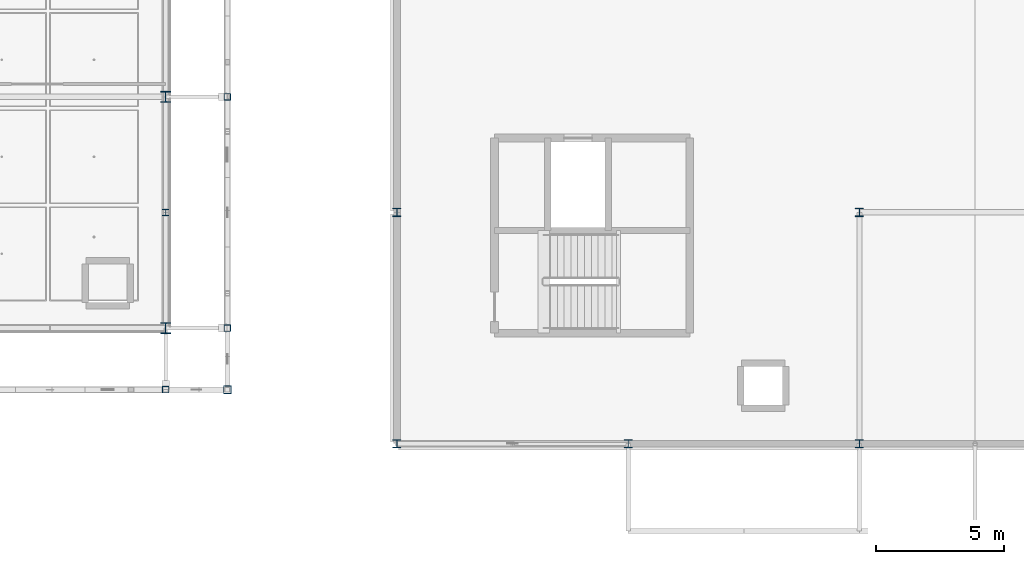
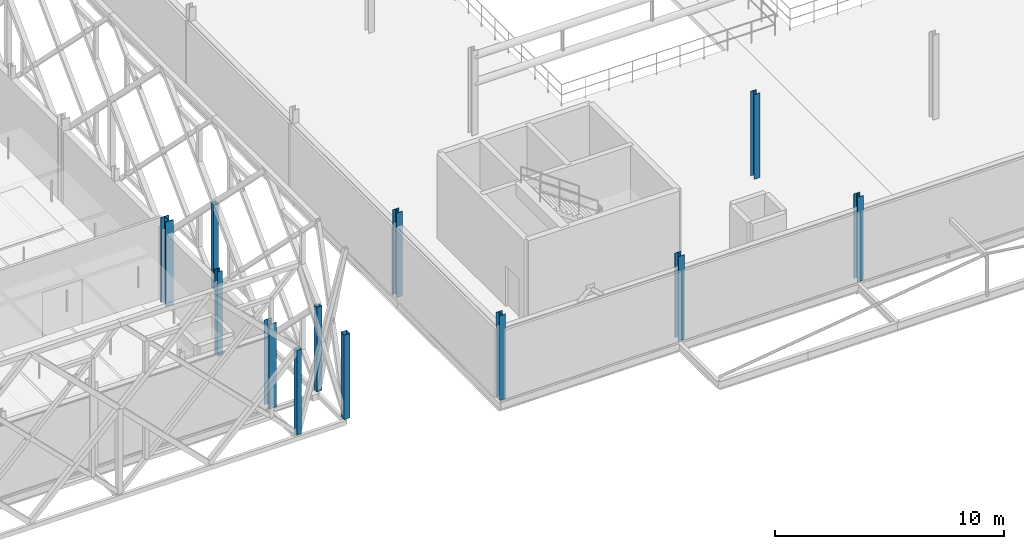
# One storey, part 7 of 140: 12 columns.
"""IFC4 building model written with IfcOpenShell, lengths in metres."""

from ifc_helpers import new_model, si_unit, direction, frame, origin, origin_2d, place, context, subcontext, project, spatial, hollow_rectangle, i_section, extrude, material, material_profile, profile_set, type_object, element, save


model = new_model("IFC4")

# Units and contexts
model_context = context("Model", 3, precision=1e-05, world=origin(), true_north=direction((0.0, 1.0)))
body_context = subcontext(model_context, "Body", "Model", "MODEL_VIEW")
ifc_project = project(units=[si_unit("LENGTHUNIT", "METRE"), si_unit("AREAUNIT", "SQUARE_METRE"), si_unit("VOLUMEUNIT", "CUBIC_METRE"), si_unit("PLANEANGLEUNIT", "RADIAN"), si_unit("MASSUNIT", "GRAM", prefix="KILO"), si_unit("THERMODYNAMICTEMPERATUREUNIT", "KELVIN"), si_unit("POWERUNIT", "WATT")], contexts=[model_context])

# Site, building, storey
site_placement = place(None, origin())
site = spatial("IfcSite", under=ifc_project, at=site_placement, CompositionType="ELEMENT")
building_placement = place(site_placement, origin())
building = spatial("IfcBuilding", under=site, at=building_placement, Name="Tallowbark Science Centre", CompositionType="ELEMENT")
storey_placement = place(building_placement, frame((0.0, 0.0, 9.89990234375)))
storey = spatial("IfcBuildingStorey", under=building, at=storey_placement, Name="L02", CompositionType="ELEMENT", Elevation=9.89990234375)

# Columns
ifc_material_1 = material(Name="White Architectural Painted Steel Grade C350L0 (350 MPa)", Category="steel")
ifc_material_profile_1 = material_profile(ifc_material_1, hollow_rectangle(XDim=0.25, YDim=0.25, WallThickness=0.009033203125, at=origin_2d()), Name="250x250x9.0SHS")
ifc_profile_set_1 = profile_set([ifc_material_profile_1], Name="White Architectural Painted Steel Grade C350L0 (350 MPa)")
column_type_1 = type_object("IfcColumnType", Name="COL-SCR200", PredefinedType="COLUMN", material=ifc_profile_set_1)
for number, where, z_axis, x_axis, name in (
    (1, (103.5, 2.10009765625, 0.0), (0.0, 0.0, 1.0), (1.0, 0.0, 0.0), "Column SCR-S06 L02"),
    (2, (105.89990234375, 4.5, 0.0), (0.0, 0.0, 1.0), (1.0, 0.0, 0.0), "Column SCR-E01 L02"),
    (3, (105.89990234375, 13.5, 0.0), (0.0, 0.0, 1.0), (1.0, 0.0, 0.0), "Column SCR-E02 L02"),
):
    element("IfcColumn", number, at=place(storey_placement, frame(where, z_axis=z_axis, x_axis=x_axis)), inside=storey, type_object=column_type_1, Name=name, PredefinedType="COLUMN", context=body_context, shape_type="SweptSolid", body=[
        extrude(hollow_rectangle(XDim=0.25, YDim=0.25, WallThickness=0.009033203125, at=origin_2d()), origin(), (0.0, 0.0, 1.0), 4.5),
    ])
ifc_material_profile_2 = material_profile(ifc_material_1, hollow_rectangle(XDim=0.300048828125, YDim=0.300048828125, WallThickness=0.010009765625, at=origin_2d()), Name="300x300x10.0SHS")
ifc_profile_set_2 = profile_set([ifc_material_profile_2], Name="White Architectural Painted Steel Grade C350L0 (350 MPa)")
column_type_2 = type_object("IfcColumnType", Name="COL-SCR300", PredefinedType="COLUMN", material=ifc_profile_set_2)
column_1_placement = place(storey_placement, frame((105.89990234375, 2.10009765625, 0.0), z_axis=(0.0, 0.0, 1.0), x_axis=(1.0, 0.0, 0.0)))
element("IfcColumn", 4, at=column_1_placement, inside=storey, type_object=column_type_2, Name="Column SCR-S07 L02", PredefinedType="COLUMN", context=body_context, shape_type="SweptSolid", body=[
    extrude(hollow_rectangle(XDim=0.300048828125, YDim=0.300048828125, WallThickness=0.010009765625, at=origin_2d()), origin(), (0.0, 0.0, 1.0), 4.5),
])
ifc_material_2 = material(Name="Structural Steel Grade 300PLUS (300 MPa)", Category="steel")
ifc_material_profile_3 = material_profile(ifc_material_2, i_section(OverallWidth=0.30908203125, OverallDepth=0.320556640625, WebThickness=0.013916015625, FlangeThickness=0.021728515625, FilletRadius=0.0166015625, at=origin_2d()), Name="310UC137")
ifc_profile_set_3 = profile_set([ifc_material_profile_3], Name="Structural Steel Grade 300PLUS (300 MPa)")
column_type_3 = type_object("IfcColumnType", Name="COL-UC310B", PredefinedType="COLUMN", material=ifc_profile_set_3)
for number, where, z_axis, x_axis, name in (
    (5, (112.5, 0.0, 0.0), (0.0, 0.0, 1.0), (1.0, 0.0, 0.0), "Column THT-M0_0 L02"),
    (6, (112.5, 9.0, 0.0), (0.0, 0.0, 1.0), (1.0, 0.0, 0.0), "Column THT-M0_1 L02"),
    (7, (121.5, 0.0, 0.0), (0.0, 0.0, 1.0), (1.0, 0.0, 0.0), "Column THT-M1_0 L02"),
    (8, (130.5, 0.0, 0.0), (0.0, 0.0, 1.0), (1.0, 0.0, 0.0), "Column THT-M2_0 L02"),
    (9, (130.5, 9.0, 0.0), (0.0, 0.0, 1.0), (1.0, 0.0, 0.0), "Column THT-M2_1 L02"),
):
    element("IfcColumn", number, at=place(storey_placement, frame(where, z_axis=z_axis, x_axis=x_axis)), inside=storey, type_object=column_type_3, Name=name, PredefinedType="COLUMN", context=body_context, shape_type="SweptSolid", body=[
        extrude(i_section(OverallWidth=0.30908203125, OverallDepth=0.320556640625, WebThickness=0.013916015625, FlangeThickness=0.021728515625, FilletRadius=0.0166015625, at=origin_2d()), origin(), (0.0, 0.0, 1.0), 4.5),
    ])
ifc_material_profile_4 = material_profile(ifc_material_2, i_section(OverallWidth=0.39990234375, OverallDepth=0.427978515625, WebThickness=0.02001953125, FlangeThickness=0.028076171875, FilletRadius=0.01611328125, at=origin_2d()), Name="400WC270")
ifc_profile_set_4 = profile_set([ifc_material_profile_4], Name="Structural Steel Grade 300PLUS (300 MPa)")
column_type_4 = type_object("IfcColumnType", Name="COL-WC400", PredefinedType="COLUMN", material=ifc_profile_set_4)
for number, where, z_axis, x_axis, name in (
    (10, (103.5, 4.5, 0.0), (0.0, 0.0, 1.0), (1.0, 0.0, 0.0), "Column CUB-M5_0 L02"),
    (11, (103.5, 13.5, 0.0), (0.0, 0.0, 1.0), (1.0, 0.0, 0.0), "Column CUB-M5_1 L02"),
):
    element("IfcColumn", number, at=place(storey_placement, frame(where, z_axis=z_axis, x_axis=x_axis)), inside=storey, type_object=column_type_4, Name=name, PredefinedType="COLUMN", context=body_context, shape_type="SweptSolid", body=[
        extrude(i_section(OverallWidth=0.39990234375, OverallDepth=0.427978515625, WebThickness=0.02001953125, FlangeThickness=0.028076171875, FilletRadius=0.01611328125, at=origin_2d()), origin(), (0.0, 0.0, 1.0), 4.5),
    ])
ifc_material_profile_5 = material_profile(ifc_material_2, i_section(OverallWidth=0.256103515625, OverallDepth=0.260009765625, WebThickness=0.010498046875, FlangeThickness=0.017333984375, FilletRadius=0.013916015625, at=origin_2d()), Name="250UC89.5")
ifc_profile_set_5 = profile_set([ifc_material_profile_5], Name="Structural Steel Grade 300PLUS (300 MPa)")
column_type_5 = type_object("IfcColumnType", Name="PIL-UC250", PredefinedType="PILASTER", material=ifc_profile_set_5)
column_2_placement = place(storey_placement, frame((103.5, 9.0, 0.0), z_axis=(0.0, 0.0, 1.0), x_axis=(1.0, 0.0, 0.0)))
element("IfcColumn", 12, at=column_2_placement, inside=storey, type_object=column_type_5, Name="Column CUB-PE-0 L02", PredefinedType="PILASTER", context=body_context, shape_type="SweptSolid", body=[
    extrude(i_section(OverallWidth=0.256103515625, OverallDepth=0.260009765625, WebThickness=0.010498046875, FlangeThickness=0.017333984375, FilletRadius=0.013916015625, at=origin_2d()), origin(), (0.0, 0.0, 1.0), 4.5),
])

save(model, "model.ifc")
